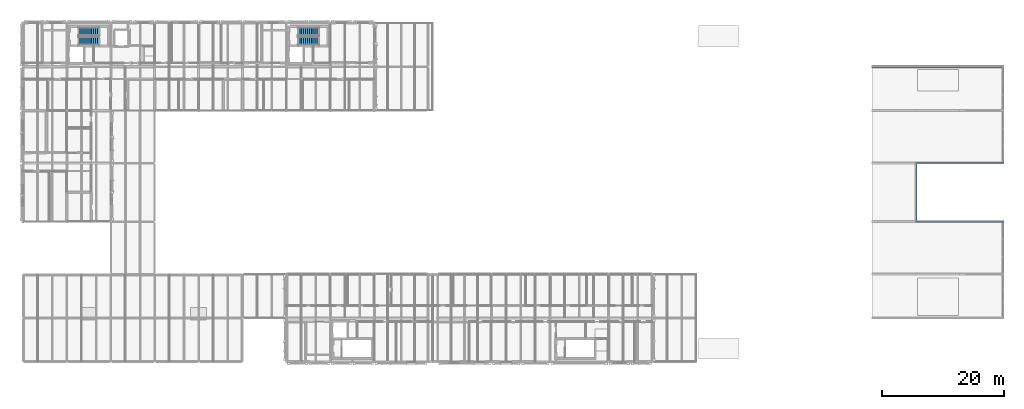
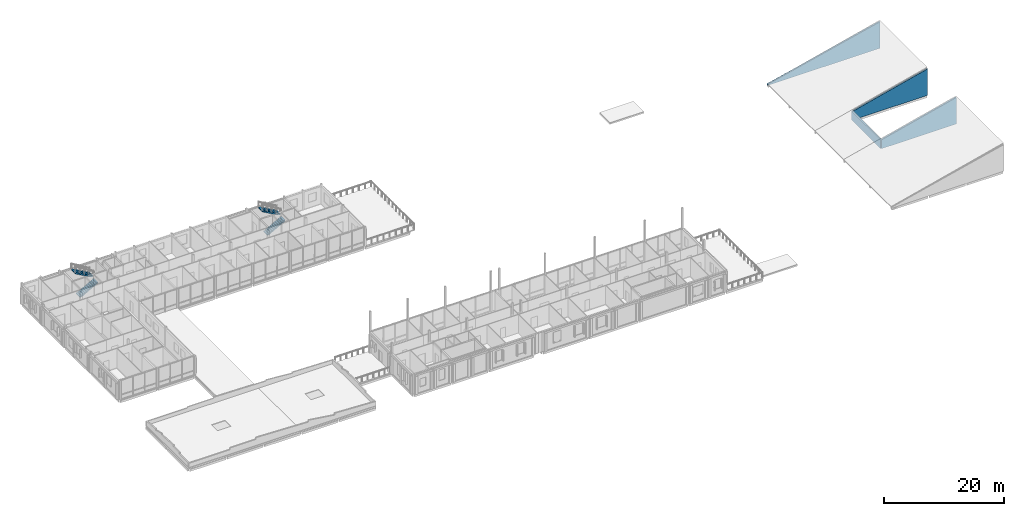
# One storey, part 44 of 57: 4 stair flights, 4 walls, 2 elements without a shape of their own.
"""IFC4 building model written with IfcOpenShell, lengths in metres."""

from ifc_helpers import new_model, si_unit, direction, frame, frame_2d, origin, place, context, subcontext, project, spatial, polyline, rectangle, outline, extrude, material, layer, layer_set, type_object, element, aggregate, save


model = new_model("IFC4")

# Units and contexts
model_context = context("Model", 3, precision=1e-05, world=origin(), true_north=direction((0.0, 1.0)))
body_context = subcontext(model_context, "Body", "Model", "MODEL_VIEW")
ifc_project = project(units=[si_unit("LENGTHUNIT", "METRE"), si_unit("AREAUNIT", "SQUARE_METRE"), si_unit("VOLUMEUNIT", "CUBIC_METRE"), si_unit("PLANEANGLEUNIT", "RADIAN"), si_unit("MASSUNIT", "GRAM", prefix="KILO")], contexts=[model_context])

# Site, building, storey
site_placement = place(None, origin())
site = spatial("IfcSite", under=ifc_project, at=site_placement, CompositionType="ELEMENT")
building_placement = place(site_placement, origin())
building = spatial("IfcBuilding", under=site, at=building_placement, Name="Hawrajan Terrace Health Centre", CompositionType="ELEMENT")
storey_placement = place(building_placement, frame((0.0, 0.0, 13.199951171875)))
storey = spatial("IfcBuildingStorey", under=building, at=storey_placement, Name="L03", CompositionType="ELEMENT", Elevation=13.199951171875)

# Walls
ifc_material_1 = material(Name="Cross-laminated timber CLT C24", Category="wood")
ifc_layer = layer(ifc_material_1, 0.27001953125)
ifc_layer_set = layer_set([ifc_layer], Name="Cross-laminated timber CLT C24")
wall_type = type_object("IfcWallType", Name="PavilionFacadeWall_270", PredefinedType="SOLIDWALL", material=ifc_layer_set)
for number, where, z_axis, x_axis, name in (
    (1, (151.0, 27.199951171875, -0.199951171875), (0.0, 0.0, 1.0), (1.0, 0.0, 0.0), "Pavilion sloped spandrel wall TYM-V6-L03-S-COURT"),
    (2, (151.0, 36.800048828125, -0.199951171875), (0.0, 0.0, 1.0), (1.0, 0.0, 0.0), "Pavilion sloped spandrel wall TYM-V6-L03-N-COURT"),
):
    element("IfcWall", number, at=place(storey_placement, frame(where, z_axis=z_axis, x_axis=x_axis)), inside=storey, type_object=wall_type, Name=name, PredefinedType="SOLIDWALL", context=body_context, shape_type="SweptSolid", body=[
        extrude(outline(polyline([(0.0, 0.0), (14.39990234375, 0.0), (14.39990234375, 5.385498046875), (0.0, 1.795166015625), (0.0, 0.0)])), frame((0.0, 0.135009765625, 0.0), z_axis=(0.0, -1.0, 0.0), x_axis=(1.0, 0.0, 0.0)), (0.0, 0.0, 1.0), 0.27001953125),
    ])
wall_1_placement = place(storey_placement, frame((143.800048828125, 52.60009765625, -0.199951171875), z_axis=(0.0, 0.0, 1.0), x_axis=(1.0, 0.0, 0.0)))
element("IfcWall", 3, at=wall_1_placement, inside=storey, type_object=wall_type, Name="Pavilion sloped spandrel wall TYM-V6-L03-N-FULL", PredefinedType="SOLIDWALL", context=body_context, shape_type="SweptSolid", body=[
    extrude(outline(polyline([(0.0, 0.0), (21.599853515625, 0.0), (21.60009765625, 5.385498046875), (0.0, 0.199951171875), (0.0, 0.0)])), frame((0.0, 0.135009765625, 0.0), z_axis=(0.0, -1.0, 0.0), x_axis=(1.0, 0.0, 0.0)), (0.0, 0.0, 1.0), 0.27001953125),
])
wall_2_placement = place(storey_placement, frame((151.0, 27.199951171875, -0.199951171875), z_axis=(0.0, 0.0, 1.0), x_axis=(0.0, 1.0, 0.0)))
element("IfcWall", 4, at=wall_2_placement, inside=storey, type_object=wall_type, Name="Pavilion central roof clerestory wall", PredefinedType="SOLIDWALL", context=body_context, shape_type="SweptSolid", body=[
    extrude(rectangle(XDim=9.60009765625, YDim=0.27001953125, at=frame_2d((4.800048828125, 0.0))), origin(), (0.0, 0.0, 1.0), 1.795166015625),
])

# Stair, stair flights
ifc_material_2 = material(Name="Concrete C40/50", Category="concrete")
stair_type = type_object("IfcStairType", Name="Stair_4200_W1300", PredefinedType="HALF_TURN_STAIR", material=ifc_material_2)
stair_1_placement = place(storey_placement, origin())
stair_1 = element("IfcStair", 5, at=stair_1_placement, inside=storey, type_object=stair_type, Name="Stair ST-1-L03", PredefinedType="HALF_TURN_STAIR")
stair_flight_type = type_object("IfcStairFlightType", Name="StairFlight_4200_W1300", PredefinedType="STRAIGHT", material=ifc_material_2)
stair_flight_1_placement = place(storey_placement, frame((13.675048828125, 56.81005859375, 0.0), z_axis=(0.0, 0.0, 1.0), x_axis=(1.0, 0.0, 0.0)))
stair_flight_1 = element("IfcStairFlight", 6, at=stair_flight_1_placement, type_object=stair_flight_type, Name="Stair flight ST-1-L03-F1", NumberOfRisers=12, NumberOfTreads=11, PredefinedType="STRAIGHT", RiserHeight=0.175, TreadLength=0.313636, context=body_context, shape_type="SweptSolid", body=[
    extrude(outline(polyline([(0.0, 0.0), (0.0, 0.175048828125), (0.313720703125, 0.175048828125), (0.313720703125, 0.35009765625), (0.627197265625, 0.35009765625), (0.627197265625, 0.52490234375), (0.94091796875, 0.52490234375), (0.94091796875, 0.699951171875), (1.254638671875, 0.699951171875), (1.254638671875, 0.875), (1.568115234375, 0.875), (1.568115234375, 1.050048828125), (1.8818359375, 1.050048828125), (1.8818359375, 1.22509765625), (2.195556640625, 1.22509765625), (2.195556640625, 1.39990234375), (2.509033203125, 1.39990234375), (2.509033203125, 1.574951171875), (2.82275390625, 1.574951171875), (2.82275390625, 1.75), (3.136474609375, 1.75), (3.136474609375, 1.925048828125), (3.449951171875, 1.925048828125), (3.449951171875, 2.10009765625), (3.449951171875, 1.718994140625), (0.369384765625, 0.0), (0.0, 0.0)])), frame((0.0, 0.64990234375, 0.0), z_axis=(0.0, -1.0, 0.0), x_axis=(1.0, 0.0, 0.0)), (0.0, 0.0, 1.0), 1.300048828125),
])
stair_flight_2_placement = place(storey_placement, frame((17.125, 58.389892578125, 2.10009765625), z_axis=(0.0, 0.0, 1.0), x_axis=(-1.0, 0.0, 0.0)))
stair_flight_2 = element("IfcStairFlight", 7, at=stair_flight_2_placement, type_object=stair_flight_type, Name="Stair flight ST-1-L03-F2", NumberOfRisers=12, NumberOfTreads=11, PredefinedType="STRAIGHT", RiserHeight=0.175, TreadLength=0.313636, context=body_context, shape_type="SweptSolid", body=[
    extrude(outline(polyline([(0.0, 0.0), (0.0, 0.175048828125), (0.313720703125, 0.175048828125), (0.313720703125, 0.35009765625), (0.627197265625, 0.35009765625), (0.627197265625, 0.52490234375), (0.94091796875, 0.52490234375), (0.94091796875, 0.699951171875), (1.254638671875, 0.699951171875), (1.254638671875, 0.875), (1.568115234375, 0.875), (1.568115234375, 1.050048828125), (1.8818359375, 1.050048828125), (1.8818359375, 1.22509765625), (2.195556640625, 1.22509765625), (2.195556640625, 1.39990234375), (2.509033203125, 1.39990234375), (2.509033203125, 1.574951171875), (2.82275390625, 1.574951171875), (2.82275390625, 1.75), (3.136474609375, 1.75), (3.136474609375, 1.925048828125), (3.449951171875, 1.925048828125), (3.449951171875, 2.10009765625), (3.449951171875, 1.718994140625), (0.369384765625, 0.0), (0.0, 0.0)])), frame((0.0, 0.64990234375, 0.0), z_axis=(0.0, -1.0, 0.0), x_axis=(1.0, 0.0, 0.0)), (0.0, 0.0, 1.0), 1.300048828125),
])
aggregate(stair_1, [stair_flight_1, stair_flight_2])

stair_2_placement = place(storey_placement, origin())
stair_2 = element("IfcStair", 8, at=stair_2_placement, inside=storey, type_object=stair_type, Name="Stair ST-2-L03", PredefinedType="HALF_TURN_STAIR")
stair_flight_3_placement = place(storey_placement, frame((49.675048828125, 56.81005859375, 0.0), z_axis=(0.0, 0.0, 1.0), x_axis=(1.0, 0.0, 0.0)))
stair_flight_3 = element("IfcStairFlight", 9, at=stair_flight_3_placement, type_object=stair_flight_type, Name="Stair flight ST-2-L03-F1", NumberOfRisers=12, NumberOfTreads=11, PredefinedType="STRAIGHT", RiserHeight=0.175, TreadLength=0.313636, context=body_context, shape_type="SweptSolid", body=[
    extrude(outline(polyline([(0.0, 0.0), (0.0, 0.175048828125), (0.313720703125, 0.175048828125), (0.313720703125, 0.35009765625), (0.627197265625, 0.35009765625), (0.627197265625, 0.52490234375), (0.94091796875, 0.52490234375), (0.94091796875, 0.699951171875), (1.254638671875, 0.699951171875), (1.254638671875, 0.875), (1.568115234375, 0.875), (1.568115234375, 1.050048828125), (1.8818359375, 1.050048828125), (1.8818359375, 1.22509765625), (2.195556640625, 1.22509765625), (2.195556640625, 1.39990234375), (2.509033203125, 1.39990234375), (2.509033203125, 1.574951171875), (2.82275390625, 1.574951171875), (2.82275390625, 1.75), (3.136474609375, 1.75), (3.136474609375, 1.925048828125), (3.449951171875, 1.925048828125), (3.449951171875, 2.10009765625), (3.449951171875, 1.718994140625), (0.369384765625, 0.0), (0.0, 0.0)])), frame((0.0, 0.64990234375, 0.0), z_axis=(0.0, -1.0, 0.0), x_axis=(1.0, 0.0, 0.0)), (0.0, 0.0, 1.0), 1.300048828125),
])
stair_flight_4_placement = place(storey_placement, frame((53.125, 58.389892578125, 2.10009765625), z_axis=(0.0, 0.0, 1.0), x_axis=(-1.0, 0.0, 0.0)))
stair_flight_4 = element("IfcStairFlight", 10, at=stair_flight_4_placement, type_object=stair_flight_type, Name="Stair flight ST-2-L03-F2", NumberOfRisers=12, NumberOfTreads=11, PredefinedType="STRAIGHT", RiserHeight=0.175, TreadLength=0.313636, context=body_context, shape_type="SweptSolid", body=[
    extrude(outline(polyline([(0.0, 0.0), (0.0, 0.175048828125), (0.313720703125, 0.175048828125), (0.313720703125, 0.35009765625), (0.627197265625, 0.35009765625), (0.627197265625, 0.52490234375), (0.94091796875, 0.52490234375), (0.94091796875, 0.699951171875), (1.254638671875, 0.699951171875), (1.254638671875, 0.875), (1.568115234375, 0.875), (1.568115234375, 1.050048828125), (1.8818359375, 1.050048828125), (1.8818359375, 1.22509765625), (2.195556640625, 1.22509765625), (2.195556640625, 1.39990234375), (2.509033203125, 1.39990234375), (2.509033203125, 1.574951171875), (2.82275390625, 1.574951171875), (2.82275390625, 1.75), (3.136474609375, 1.75), (3.136474609375, 1.925048828125), (3.449951171875, 1.925048828125), (3.449951171875, 2.10009765625), (3.449951171875, 1.718994140625), (0.369384765625, 0.0), (0.0, 0.0)])), frame((0.0, 0.64990234375, 0.0), z_axis=(0.0, -1.0, 0.0), x_axis=(1.0, 0.0, 0.0)), (0.0, 0.0, 1.0), 1.300048828125),
])
aggregate(stair_2, [stair_flight_3, stair_flight_4])

save(model, "model.ifc")
